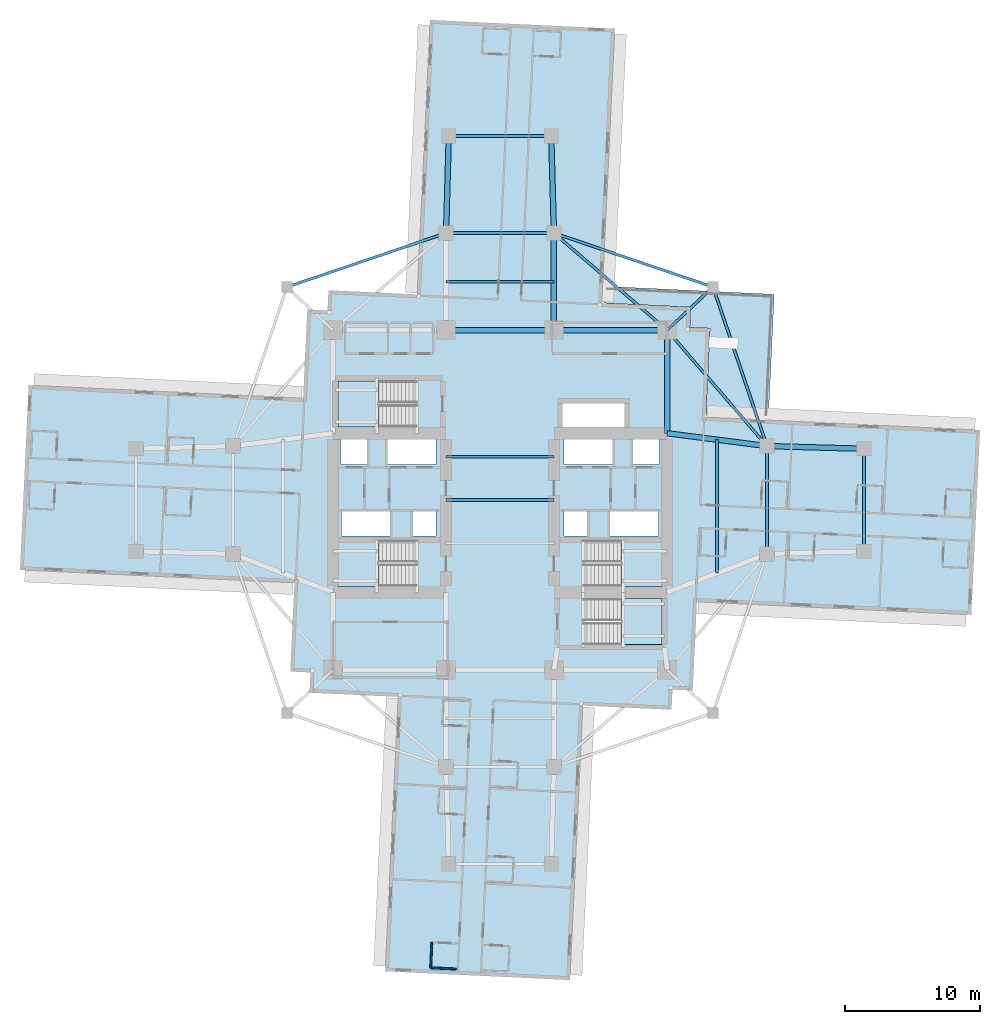
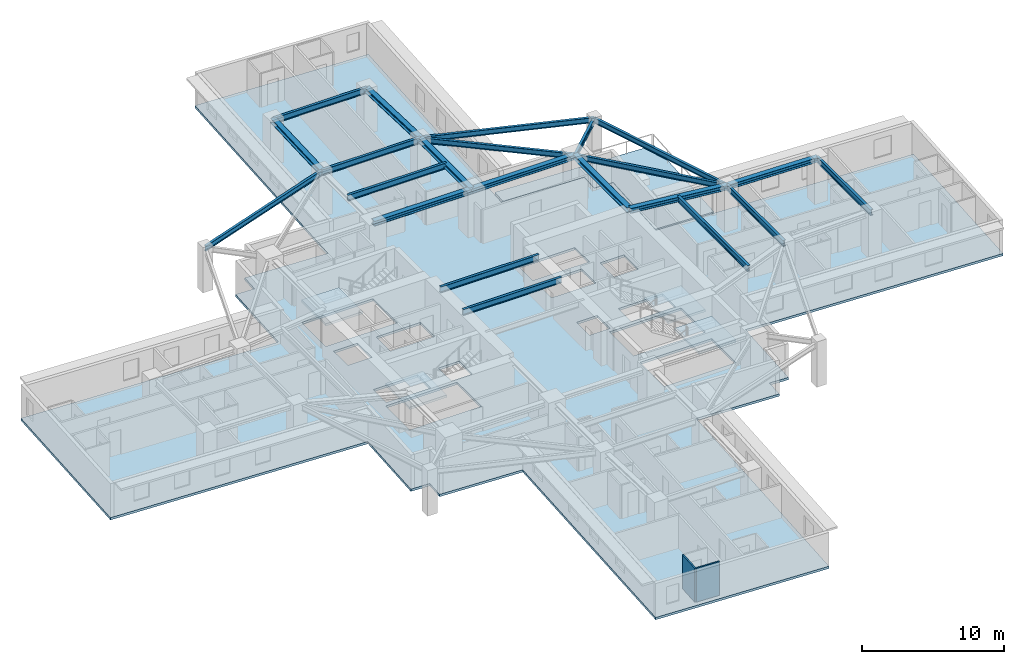
# One storey, part 2 of 14: 22 beams, 6 slabs, 2 walls, 4 elements without a shape of their own.
"""IFC4 building model written with IfcOpenShell, lengths in metres."""

from ifc_helpers import new_model, si_unit, direction, frame, frame_2d, origin, origin_2d, place, context, subcontext, project, spatial, polyline, rectangle, i_section, outline, extrude, material, layer, layer_set, material_profile, profile_set, type_object, element, aggregate, save


model = new_model("IFC4")

# Units and contexts
model_context = context("Model", 3, precision=1e-05, world=origin(), true_north=direction((0.0, 1.0)))
body_context = subcontext(model_context, "Body", "Model", "MODEL_VIEW")
ifc_project = project(units=[si_unit("LENGTHUNIT", "METRE"), si_unit("AREAUNIT", "SQUARE_METRE"), si_unit("VOLUMEUNIT", "CUBIC_METRE"), si_unit("PLANEANGLEUNIT", "RADIAN"), si_unit("MASSUNIT", "GRAM", prefix="KILO")], contexts=[model_context])

# Site, building, storey
site_placement = place(None, origin())
site = spatial("IfcSite", under=ifc_project, at=site_placement, CompositionType="ELEMENT")
building_placement = place(site_placement, origin())
building = spatial("IfcBuilding", under=site, at=building_placement, Name="Qingluan Cross Belvedere", CompositionType="ELEMENT")
storey_placement = place(building_placement, frame((0.0, 0.0, 75.60009765625)))
storey = spatial("IfcBuildingStorey", under=building, at=storey_placement, Name="L19", CompositionType="ELEMENT", Elevation=75.60009765625)

# Beams
ifc_material_1 = material(Name="Steel Q420GJB", Category="steel")
ifc_material_profile_1 = material_profile(ifc_material_1, i_section(OverallWidth=0.199951171875, OverallDepth=0.449951171875, WebThickness=0.009033203125, FlangeThickness=0.013916015625, FilletRadius=0.01611328125, at=origin_2d()), Name="HN450x200x9x14")
ifc_profile_set_1 = profile_set([ifc_material_profile_1], Name="Steel Q420GJB")
beam_type_1 = type_object("IfcBeamType", Name="Steel_Beam_HN450x200x9x14", PredefinedType="JOIST", material=ifc_profile_set_1)
beam_1_placement = place(storey_placement, frame((12.39990234375, 12.60009765625, 3.454833984375), z_axis=(0.728219948308, 0.685343495546, 0.0), x_axis=(-0.685343495546, 0.728219948308, 0.0)))
element("IfcBeam", 1, at=beam_1_placement, inside=storey, type_object=beam_type_1, Name="Corner beam 1 L19-RNE", PredefinedType="JOIST", context=body_context, shape_type="SweptSolid", body=[
    extrude(i_section(OverallWidth=0.199951171875, OverallDepth=0.449951171875, WebThickness=0.009033203125, FlangeThickness=0.013916015625, FilletRadius=0.01611328125, at=origin_2d()), origin(), (0.0, 0.0, 1.0), 4.669189453125),
])
for number, where, z_axis, x_axis, name in (
    (2, (15.800048828125, 15.800048828125, 3.474853515625), (-0.947066283324, 0.321038089628, 0.0), (-0.321038089628, -0.947066283324, 0.0), "Corner beam 2 L19-RNE"),
    (3, (15.800048828125, 15.800048828125, 3.454833984375), (0.321038089628, -0.947066283324, 0.0), (0.947066283324, 0.321038089628, 0.0), "Corner beam 3 L19-RNE"),
):
    element("IfcBeam", number, at=place(storey_placement, frame(where, z_axis=z_axis, x_axis=x_axis)), inside=storey, type_object=beam_type_1, Name=name, PredefinedType="JOIST", context=body_context, shape_type="SweptSolid", body=[
        extrude(i_section(OverallWidth=0.199951171875, OverallDepth=0.449951171875, WebThickness=0.009033203125, FlangeThickness=0.013916015625, FilletRadius=0.01611328125, at=origin_2d()), origin(), (0.0, 0.0, 1.0), 12.45947265625),
    ])
beam_2_placement = place(storey_placement, frame((12.39990234375, 12.60009765625, 3.454833984375), z_axis=(0.652245077546, -0.75800815221, 0.0), x_axis=(0.75800815221, 0.652245077546, 0.0)))
element("IfcBeam", 4, at=beam_2_placement, inside=storey, type_object=beam_type_1, Name="Corner beam 4 L19-RNE", PredefinedType="JOIST", context=body_context, shape_type="SweptSolid", body=[
    extrude(i_section(OverallWidth=0.199951171875, OverallDepth=0.449951171875, WebThickness=0.009033203125, FlangeThickness=0.013916015625, FilletRadius=0.01611328125, at=origin_2d()), origin(), (0.0, 0.0, 1.0), 11.345703125),
])
beam_3_placement = place(storey_placement, frame((12.39990234375, 12.60009765625, 3.454833984375), z_axis=(-0.759255044656, 0.650793190779, 0.0), x_axis=(-0.650793190779, -0.759255044656, 0.0)))
element("IfcBeam", 5, at=beam_3_placement, inside=storey, type_object=beam_type_1, Name="Corner beam 5 L19-RNE", PredefinedType="JOIST", context=body_context, shape_type="SweptSolid", body=[
    extrude(i_section(OverallWidth=0.199951171875, OverallDepth=0.449951171875, WebThickness=0.009033203125, FlangeThickness=0.013916015625, FilletRadius=0.01611328125, at=origin_2d()), origin(), (0.0, 0.0, 1.0), 11.063232421875),
])
beam_4_placement = place(storey_placement, frame((-15.800048828125, 15.800048828125, 3.474853515625), z_axis=(0.947066283324, 0.321038089628, 0.0), x_axis=(-0.321038089628, 0.947066283324, 0.0)))
element("IfcBeam", 6, at=beam_4_placement, inside=storey, type_object=beam_type_1, Name="Corner beam 2 L19-RNW", PredefinedType="JOIST", context=body_context, shape_type="SweptSolid", body=[
    extrude(i_section(OverallWidth=0.199951171875, OverallDepth=0.449951171875, WebThickness=0.009033203125, FlangeThickness=0.013916015625, FilletRadius=0.01611328125, at=origin_2d()), origin(), (0.0, 0.0, 1.0), 12.45947265625),
])
ifc_material_2 = material(Name="Steel Q420GJB", Category="steel")
ifc_material_profile_2 = material_profile(ifc_material_2, i_section(OverallWidth=0.199951171875, OverallDepth=0.5, WebThickness=0.010009765625, FlangeThickness=0.01611328125, FilletRadius=0.01611328125, at=origin_2d()), Name="HN500x200x10x16")
ifc_profile_set_2 = profile_set([ifc_material_profile_2], Name="Steel Q420GJB")
beam_type_2 = type_object("IfcBeamType", Name="Steel_Beam_HN500x200x10x16", PredefinedType="JOIST", material=ifc_profile_set_2)
for number, where, z_axis, x_axis, name in (
    (7, (-4.0, 0.0, 3.449951171875), (1.0, 0.0, 0.0), (0.0, 1.0, 0.0), "Hall beam L19-CH2"),
    (8, (-4.0, 3.199951171875, 3.449951171875), (1.0, 0.0, 0.0), (0.0, 1.0, 0.0), "Hall beam L19-CH3"),
    (9, (19.800048828125, -4.0, 3.449951171875), (0.0, 1.0, 0.0), (-1.0, 0.0, 0.0), "Arm E tie L19"),
):
    element("IfcBeam", number, at=place(storey_placement, frame(where, z_axis=z_axis, x_axis=x_axis)), inside=storey, type_object=beam_type_2, Name=name, PredefinedType="JOIST", context=body_context, shape_type="SweptSolid", body=[
        extrude(i_section(OverallWidth=0.199951171875, OverallDepth=0.5, WebThickness=0.010009765625, FlangeThickness=0.01611328125, FilletRadius=0.01611328125, at=origin_2d()), origin(), (0.0, 0.0, 1.0), 8.0),
    ])
beam_5_placement = place(storey_placement, frame((16.10009765625, -5.425048828125, 3.449951171875), z_axis=(0.0, 1.0, 0.0), x_axis=(-1.0, 0.0, 0.0)))
element("IfcBeam", 10, at=beam_5_placement, inside=storey, type_object=beam_type_2, Name="Arm E beam L19", PredefinedType="JOIST", context=body_context, shape_type="SweptSolid", body=[
    extrude(i_section(OverallWidth=0.199951171875, OverallDepth=0.5, WebThickness=0.010009765625, FlangeThickness=0.01611328125, FilletRadius=0.01611328125, at=origin_2d()), origin(), (0.0, 0.0, 1.0), 9.900146484375),
])
beam_6_placement = place(storey_placement, frame((27.0, -3.800048828125, 3.449951171875), z_axis=(0.0, 1.0, 0.0), x_axis=(-1.0, 0.0, 0.0)))
element("IfcBeam", 11, at=beam_6_placement, inside=storey, type_object=beam_type_2, Name="Arm E tip transverse beam L19", PredefinedType="JOIST", context=body_context, shape_type="SweptSolid", body=[
    extrude(i_section(OverallWidth=0.199951171875, OverallDepth=0.5, WebThickness=0.010009765625, FlangeThickness=0.01611328125, FilletRadius=0.01611328125, at=origin_2d()), origin(), (0.0, 0.0, 1.0), 7.60009765625),
])
for number, where, z_axis, x_axis, name in (
    (12, (-4.0, 19.800048828125, 3.449951171875), (1.0, 0.0, 0.0), (0.0, 1.0, 0.0), "Arm N tie L19"),
    (13, (-4.0, 16.199951171875, 3.449951171875), (1.0, 0.0, 0.0), (0.0, 1.0, 0.0), "Arm N beam L19"),
):
    element("IfcBeam", number, at=place(storey_placement, frame(where, z_axis=z_axis, x_axis=x_axis)), inside=storey, type_object=beam_type_2, Name=name, PredefinedType="JOIST", context=body_context, shape_type="SweptSolid", body=[
        extrude(i_section(OverallWidth=0.199951171875, OverallDepth=0.5, WebThickness=0.010009765625, FlangeThickness=0.01611328125, FilletRadius=0.01611328125, at=origin_2d()), origin(), (0.0, 0.0, 1.0), 8.0),
    ])
beam_7_placement = place(storey_placement, frame((-3.800048828125, 27.0, 3.449951171875), z_axis=(1.0, 0.0, 0.0), x_axis=(0.0, 1.0, 0.0)))
element("IfcBeam", 14, at=beam_7_placement, inside=storey, type_object=beam_type_2, Name="Arm N tip transverse beam L19", PredefinedType="JOIST", context=body_context, shape_type="SweptSolid", body=[
    extrude(i_section(OverallWidth=0.199951171875, OverallDepth=0.5, WebThickness=0.010009765625, FlangeThickness=0.01611328125, FilletRadius=0.01611328125, at=origin_2d()), origin(), (0.0, 0.0, 1.0), 7.60009765625),
])
ifc_material_3 = material(Name="Steel Q420GJB", Category="steel")
ifc_material_profile_3 = material_profile(ifc_material_3, i_section(OverallWidth=0.39990234375, OverallDepth=0.39990234375, WebThickness=0.012939453125, FlangeThickness=0.02099609375, FilletRadius=0.02197265625, at=origin_2d()), Name="HW400x400x13x21")
ifc_profile_set_3 = profile_set([ifc_material_profile_3], Name="Steel Q420GJB")
beam_type_3 = type_object("IfcBeamType", Name="Steel_Girder_HW400x400x13x21", PredefinedType="USERDEFINED", material=ifc_profile_set_3)
beam_8_placement = place(storey_placement, frame((-4.0, 12.60009765625, 3.5), z_axis=(1.0, 0.0, 0.0), x_axis=(0.0, 1.0, 0.0)))
element("IfcBeam", 15, at=beam_8_placement, inside=storey, type_object=beam_type_3, Name="Hub girder L19-HG-N2", ObjectType="GIRDER", PredefinedType="USERDEFINED", context=body_context, shape_type="SweptSolid", body=[
    extrude(i_section(OverallWidth=0.39990234375, OverallDepth=0.39990234375, WebThickness=0.012939453125, FlangeThickness=0.02099609375, FilletRadius=0.02197265625, at=origin_2d()), origin(), (0.0, 0.0, 1.0), 8.0),
])
beam_9_placement = place(storey_placement, frame((4.0, 12.60009765625, 3.5), z_axis=(1.0, 0.0, 0.0), x_axis=(0.0, 1.0, 0.0)))
element("IfcBeam", 16, at=beam_9_placement, inside=storey, type_object=beam_type_3, Name="Hub girder L19-HG-N3", ObjectType="GIRDER", PredefinedType="USERDEFINED", context=body_context, shape_type="SweptSolid", body=[
    extrude(i_section(OverallWidth=0.39990234375, OverallDepth=0.39990234375, WebThickness=0.012939453125, FlangeThickness=0.02099609375, FilletRadius=0.02197265625, at=origin_2d()), origin(), (0.0, 0.0, 1.0), 8.39990234375),
])
beam_10_placement = place(storey_placement, frame((12.39990234375, 4.949951171875, 3.5), z_axis=(0.0, 1.0, 0.0), x_axis=(-1.0, 0.0, 0.0)))
element("IfcBeam", 17, at=beam_10_placement, inside=storey, type_object=beam_type_3, Name="Hub girder L19-HG-E2", ObjectType="GIRDER", PredefinedType="USERDEFINED", context=body_context, shape_type="SweptSolid", body=[
    extrude(i_section(OverallWidth=0.39990234375, OverallDepth=0.39990234375, WebThickness=0.012939453125, FlangeThickness=0.02099609375, FilletRadius=0.02197265625, at=origin_2d()), origin(), (0.0, 0.0, 1.0), 7.650146484375),
])
beam_11_placement = place(storey_placement, frame((12.39990234375, 4.949951171875, 3.5), z_axis=(0.991861120628, -0.12732445714, 0.0), x_axis=(0.12732445714, 0.991861120628, 0.0)))
element("IfcBeam", 18, at=beam_11_placement, inside=storey, type_object=beam_type_3, Name="Arm E radial girder B L19", ObjectType="GIRDER", PredefinedType="USERDEFINED", context=body_context, shape_type="SweptSolid", body=[
    extrude(i_section(OverallWidth=0.39990234375, OverallDepth=0.39990234375, WebThickness=0.012939453125, FlangeThickness=0.02099609375, FilletRadius=0.02197265625, at=origin_2d()), origin(), (0.0, 0.0, 1.0), 7.4609375),
])
beam_12_placement = place(storey_placement, frame((19.800048828125, 4.0, 3.5), z_axis=(0.999614603568, -0.027760481514, 0.0), x_axis=(0.027760481514, 0.999614603568, 0.0)))
element("IfcBeam", 19, at=beam_12_placement, inside=storey, type_object=beam_type_3, Name="Arm E outer radial girder B L19", ObjectType="GIRDER", PredefinedType="USERDEFINED", context=body_context, shape_type="SweptSolid", body=[
    extrude(i_section(OverallWidth=0.39990234375, OverallDepth=0.39990234375, WebThickness=0.012939453125, FlangeThickness=0.02099609375, FilletRadius=0.02197265625, at=origin_2d()), origin(), (0.0, 0.0, 1.0), 7.20263671875),
])
beam_13_placement = place(storey_placement, frame((4.0, 12.60009765625, 3.5), z_axis=(0.0, 1.0, 0.0), x_axis=(-1.0, 0.0, 0.0)))
element("IfcBeam", 20, at=beam_13_placement, inside=storey, type_object=beam_type_3, Name="Arm N radial girder B L19", ObjectType="GIRDER", PredefinedType="USERDEFINED", context=body_context, shape_type="SweptSolid", body=[
    extrude(i_section(OverallWidth=0.39990234375, OverallDepth=0.39990234375, WebThickness=0.012939453125, FlangeThickness=0.02099609375, FilletRadius=0.02197265625, at=origin_2d()), origin(), (0.0, 0.0, 1.0), 7.199951171875),
])
for number, where, z_axis, x_axis, name in (
    (21, (-4.0, 19.800048828125, 3.5), (0.027760481514, 0.999614603568, 0.0), (-0.999614603568, 0.027760481514, 0.0), "Arm N outer radial girder A L19"),
    (22, (4.0, 19.800048828125, 3.5), (-0.027760481514, 0.999614603568, 0.0), (-0.999614603568, -0.027760481514, 0.0), "Arm N outer radial girder B L19"),
):
    element("IfcBeam", number, at=place(storey_placement, frame(where, z_axis=z_axis, x_axis=x_axis)), inside=storey, type_object=beam_type_3, Name=name, ObjectType="GIRDER", PredefinedType="USERDEFINED", context=body_context, shape_type="SweptSolid", body=[
        extrude(i_section(OverallWidth=0.39990234375, OverallDepth=0.39990234375, WebThickness=0.012939453125, FlangeThickness=0.02099609375, FilletRadius=0.02197265625, at=origin_2d()), origin(), (0.0, 0.0, 1.0), 7.20263671875),
    ])

# Slab
ifc_material_4 = material(Name="Concrete C40", Category="concrete")
ifc_layer_1 = layer(ifc_material_4, 0.199951171875, Name="FloorSlab_200")
ifc_layer_set_1 = layer_set([ifc_layer_1], Name="Concrete C40")
slab_type_1 = type_object("IfcSlabType", Name="FloorSlab_200", PredefinedType="FLOOR", material=ifc_layer_set_1)
slab_1_placement = place(storey_placement, frame((0.0, 0.0, -0.2001953125)))
element("IfcSlab", 23, at=slab_1_placement, inside=storey, type_object=slab_type_1, Name="Structural floor slab L19", PredefinedType="FLOOR", context=body_context, shape_type="SweptSolid", body=[
    extrude(outline(polyline([(5.188720703125, -35.60400390625), (6.148681640625, -15.24658203125), (12.72119140625, -15.556396484375), (12.7919921875, -14.05810546875), (14.290283203125, -14.12890625), (14.600341796875, -7.55615234375), (34.95751953125, -8.51611328125), (35.60400390625, 5.188720703125), (15.24658203125, 6.148681640625), (15.556396484375, 12.72119140625), (14.05810546875, 12.7919921875), (14.12890625, 14.290283203125), (7.55615234375, 14.600341796875), (8.51611328125, 34.95751953125), (-5.188720703125, 35.60400390625), (-6.148681640625, 15.24658203125), (-12.72119140625, 15.556396484375), (-12.7919921875, 14.05810546875), (-14.290283203125, 14.12890625), (-14.600341796875, 7.55615234375), (-34.95751953125, 8.51611328125), (-35.60400390625, -5.188720703125), (-15.24658203125, -6.148681640625), (-15.556396484375, -12.72119140625), (-14.05810546875, -12.7919921875), (-14.12890625, -14.290283203125), (-7.55615234375, -14.600341796875), (-8.51611328125, -34.95751953125), (5.188720703125, -35.60400390625)]), holes=[polyline([(-12.0, -3.0), (-6.179931640625, -3.0), (-6.179931640625, -6.39990234375), (-12.0, -6.39990234375), (-12.0, -3.0)]), polyline([(6.179931640625, -3.0), (12.0, -3.0), (12.0, -6.39990234375), (6.179931640625, -6.39990234375), (6.179931640625, -3.0)]), polyline([(-12.0, 8.820068359375), (-6.179931640625, 8.820068359375), (-6.179931640625, 5.419921875), (-12.0, 5.419921875), (-12.0, 8.820068359375)]), polyline([(6.179931640625, -7.320068359375), (12.0, -7.320068359375), (12.0, -10.719970703125), (6.179931640625, -10.719970703125), (6.179931640625, -7.320068359375)]), polyline([(-11.800048828125, 4.64990234375), (-9.85009765625, 4.64990234375), (-9.85009765625, 2.64990234375), (-11.800048828125, 2.64990234375), (-11.800048828125, 4.64990234375)]), polyline([(-8.35009765625, 4.64990234375), (-4.75, 4.64990234375), (-4.75, 2.64990234375), (-8.35009765625, 2.64990234375), (-8.35009765625, 4.64990234375)]), polyline([(4.75, 4.64990234375), (8.35009765625, 4.64990234375), (8.35009765625, 2.64990234375), (4.75, 2.64990234375), (4.75, 4.64990234375)]), polyline([(9.85009765625, 4.64990234375), (11.800048828125, 4.64990234375), (11.800048828125, 2.64990234375), (9.85009765625, 2.64990234375), (9.85009765625, 4.64990234375)]), polyline([(-11.75, -0.840087890625), (-8.14990234375, -0.840087890625), (-8.14990234375, -2.659912109375), (-11.75, -2.659912109375), (-11.75, -0.840087890625)]), polyline([(-6.449951171875, -0.840087890625), (-4.75, -0.840087890625), (-4.75, -2.659912109375), (-6.449951171875, -2.659912109375), (-6.449951171875, -0.840087890625)]), polyline([(4.75, -0.840087890625), (6.449951171875, -0.840087890625), (6.449951171875, -2.659912109375), (4.75, -2.659912109375), (4.75, -0.840087890625)]), polyline([(8.14990234375, -0.840087890625), (11.75, -0.840087890625), (11.75, -2.659912109375), (8.14990234375, -2.659912109375), (8.14990234375, -0.840087890625)]), polyline([(4.64990234375, 7.14990234375), (9.25, 7.14990234375), (9.25, 5.14990234375), (4.64990234375, 5.14990234375), (4.64990234375, 7.14990234375)])]), origin(), (0.0, 0.0, 1.0), 0.2001953125),
])

# Stair, slab
ifc_material_5 = material(Name="Concrete C40", Category="concrete")
stair_type = type_object("IfcStairType", Name="CoreDoglegStair_1620", PredefinedType="HALF_TURN_STAIR", material=ifc_material_5)
stair_1_placement = place(storey_placement, origin())
stair_1 = element("IfcStair", 24, at=stair_1_placement, inside=storey, type_object=stair_type, Name="L19 ST1", PredefinedType="HALF_TURN_STAIR")
ifc_material_6 = material(Name="Concrete C40", Category="concrete")
ifc_layer_2 = layer(ifc_material_6, 0.179931640625, Name="StairLandingSlab_180")
ifc_layer_set_2 = layer_set([ifc_layer_2], Name="Concrete C40")
slab_type_2 = type_object("IfcSlabType", Name="StairLandingSlab_180", PredefinedType="LANDING", material=ifc_layer_set_2)
slab_2_placement = place(storey_placement, frame((0.0, 0.0, 1.75)))
slab_2 = element("IfcSlab", 25, at=slab_2_placement, type_object=slab_type_2, Name="ST1 landing 1", PredefinedType="LANDING", context=body_context, shape_type="SweptSolid", body=[
    extrude(outline(polyline([(-8.97998046875, -3.0), (-12.0, -3.0), (-12.0, -6.39990234375), (-8.97998046875, -6.39990234375), (-8.97998046875, -3.0)])), origin(), (0.0, 0.0, 1.0), 0.199951171875),
])
aggregate(stair_1, [slab_2])

stair_2_placement = place(storey_placement, origin())
stair_2 = element("IfcStair", 26, at=stair_2_placement, inside=storey, type_object=stair_type, Name="L19 ST2", PredefinedType="HALF_TURN_STAIR")
slab_3_placement = place(storey_placement, frame((0.0, 0.0, 1.75)))
slab_3 = element("IfcSlab", 27, at=slab_3_placement, type_object=slab_type_2, Name="ST2 landing 1", PredefinedType="LANDING", context=body_context, shape_type="SweptSolid", body=[
    extrude(outline(polyline([(8.97998046875, -6.39990234375), (12.0, -6.39990234375), (12.0, -3.0), (8.97998046875, -3.0), (8.97998046875, -6.39990234375)])), origin(), (0.0, 0.0, 1.0), 0.199951171875),
])
aggregate(stair_2, [slab_3])

stair_3_placement = place(storey_placement, origin())
stair_3 = element("IfcStair", 28, at=stair_3_placement, inside=storey, type_object=stair_type, Name="L19 ST3", PredefinedType="HALF_TURN_STAIR")
slab_4_placement = place(storey_placement, frame((0.0, 0.0, 1.75)))
slab_4 = element("IfcSlab", 29, at=slab_4_placement, type_object=slab_type_2, Name="ST3 landing 1", PredefinedType="LANDING", context=body_context, shape_type="SweptSolid", body=[
    extrude(outline(polyline([(-8.97998046875, 8.820068359375), (-12.0, 8.820068359375), (-12.0, 5.419921875), (-8.97998046875, 5.419921875), (-8.97998046875, 8.820068359375)])), origin(), (0.0, 0.0, 1.0), 0.199951171875),
])
aggregate(stair_3, [slab_4])

stair_4_placement = place(storey_placement, origin())
stair_4 = element("IfcStair", 30, at=stair_4_placement, inside=storey, type_object=stair_type, Name="L19 ST4", PredefinedType="HALF_TURN_STAIR")
slab_5_placement = place(storey_placement, frame((0.0, 0.0, 1.75)))
slab_5 = element("IfcSlab", 31, at=slab_5_placement, type_object=slab_type_2, Name="ST4 landing 1", PredefinedType="LANDING", context=body_context, shape_type="SweptSolid", body=[
    extrude(outline(polyline([(8.97998046875, -10.719970703125), (12.0, -10.719970703125), (12.0, -7.320068359375), (8.97998046875, -7.320068359375), (8.97998046875, -10.719970703125)])), origin(), (0.0, 0.0, 1.0), 0.199951171875),
])
aggregate(stair_4, [slab_5])

# Slab
ifc_material_7 = material(Name="Concrete C40", Category="concrete")
ifc_layer_3 = layer(ifc_material_7, 0.219970703125, Name="TerraceSlab_220")
ifc_layer_set_3 = layer_set([ifc_layer_3], Name="Concrete C40")
slab_type_3 = type_object("IfcSlabType", Name="TerraceSlab_220", PredefinedType="FLOOR", material=ifc_layer_set_3)
slab_6_placement = place(storey_placement, frame((0.0, 0.0, -0.22021484375)))
element("IfcSlab", 32, at=slab_6_placement, inside=storey, type_object=slab_type_3, Name="Spiralling winter-garden terrace slab L19", PredefinedType="FLOOR", context=body_context, shape_type="SweptSolid", body=[
    extrude(outline(polyline([(7.696533203125, 14.603759765625), (14.134765625, 14.29833984375), (14.068603515625, 12.801513671875), (15.556884765625, 12.731201171875), (15.56640625, 12.722900390625), (15.26318359375, 6.2880859375), (19.907958984375, 6.06884765625), (20.34130859375, 15.2587890625), (7.75537109375, 15.852294921875), (7.696533203125, 14.603759765625)])), origin(), (0.0, 0.0, 1.0), 0.22021484375),
])

# Walls
ifc_material_8 = material(Name="Moisture-resistant gypsum board lining")
ifc_layer_4 = layer(ifc_material_8, 0.1201171875, Name="EnsuiteWetPartition_120")
ifc_layer_set_4 = layer_set([ifc_layer_4], Name="Moisture-resistant gypsum board lining")
wall_type = type_object("IfcWallType", Name="EnsuiteWetPartition_120", PredefinedType="PARTITIONING", material=ifc_layer_set_4)
wall_1_placement = place(storey_placement, frame((-5.080078125, -34.69921875, 0.0), z_axis=(0.0, 0.0, 1.0), x_axis=(0.998890786574, -0.047087116047, 0.0)))
element("IfcWall", 33, at=wall_1_placement, inside=storey, type_object=wall_type, Name="Partition L19:S:bw1_2", PredefinedType="PARTITIONING", context=body_context, shape_type="SweptSolid", body=[
    extrude(rectangle(XDim=1.81982421875, YDim=0.1201171875, at=frame_2d((0.909912109375, 0.0))), origin(), (0.0, 0.0, 1.0), 2.89990234375),
])
wall_2_placement = place(storey_placement, frame((-5.056640625, -32.818115234375, 0.0), z_axis=(0.0, 0.0, 1.0), x_axis=(-0.04700985207, -0.998894425757, 0.0)))
element("IfcWall", 34, at=wall_2_placement, inside=storey, type_object=wall_type, Name="Partition L19:S:bc1_2", PredefinedType="PARTITIONING", context=body_context, shape_type="SweptSolid", body=[
    extrude(rectangle(XDim=1.880126953125, YDim=0.1201171875, at=frame_2d((0.93994140625, 0.0))), origin(), (0.0, 0.0, 1.0), 2.89990234375),
])

save(model, "model.ifc")
